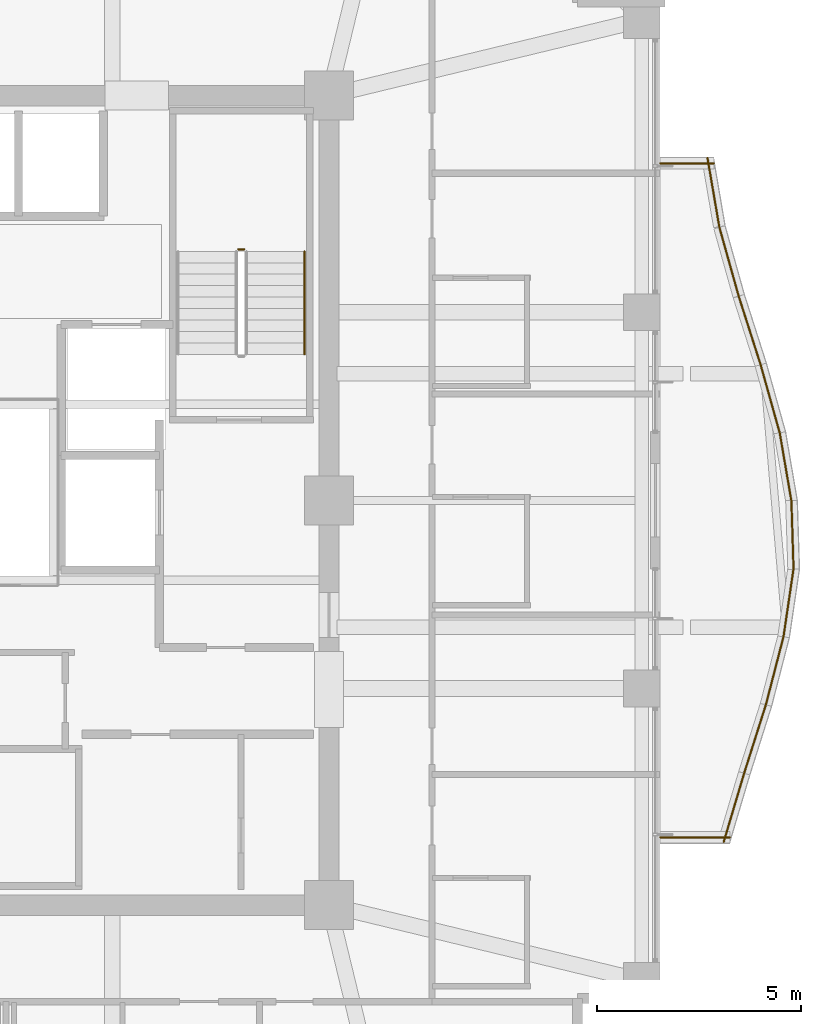
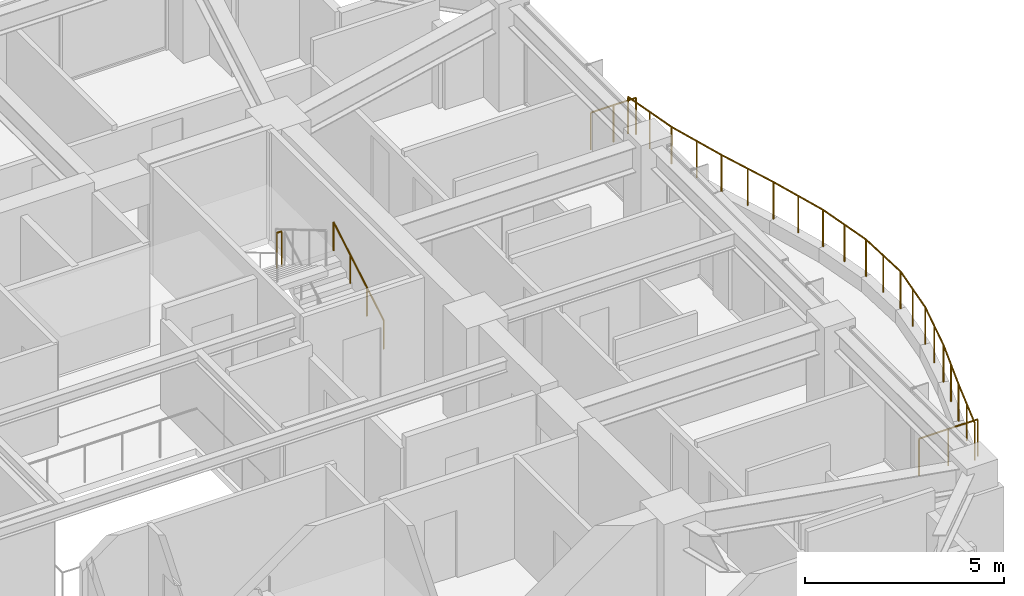
# One storey, part 33 of 33: 14 railings.
"""IFC4 building model written with IfcOpenShell, lengths in metres."""

from ifc_helpers import new_model, si_unit, direction, frame, origin, origin_2d, place, context, subcontext, project, spatial, circle, extrude, material, type_object, element, save


model = new_model("IFC4")

# Units and contexts
model_context = context("Model", 3, precision=1e-05, world=origin(), true_north=direction((0.0, 1.0)))
body_context = subcontext(model_context, "Body", "Model", "MODEL_VIEW")
ifc_project = project(units=[si_unit("LENGTHUNIT", "METRE"), si_unit("AREAUNIT", "SQUARE_METRE"), si_unit("VOLUMEUNIT", "CUBIC_METRE"), si_unit("PLANEANGLEUNIT", "RADIAN"), si_unit("MASSUNIT", "GRAM", prefix="KILO")], contexts=[model_context])

# Site, building, storey
site_placement = place(None, origin())
site = spatial("IfcSite", under=ifc_project, at=site_placement, CompositionType="ELEMENT")
building_placement = place(site_placement, origin())
building = spatial("IfcBuilding", under=site, at=building_placement, Name="Kolvaren Belvedere", CompositionType="ELEMENT")
storey_placement = place(building_placement, frame((0.0, 0.0, 128.300048828125)))
storey = spatial("IfcBuildingStorey", under=building, at=storey_placement, Name="L37", CompositionType="ELEMENT", Elevation=128.300048828125)

# Railings
ifc_material_1 = material(Name="Anodised pale-metal aluminium & laminated glass guard", Category="aluminium")
railing_type_1 = type_object("IfcRailingType", Name="RL-GUARD-1150", PredefinedType="GUARDRAIL", material=ifc_material_1)
railing_1_placement = place(storey_placement, frame((19.5517578125, -8.3544921875, 0.39990234375)))
element("IfcRailing", 1, at=railing_1_placement, inside=storey, type_object=railing_type_1, Name="L37 Exterior Deck Safety Guard BAL-E-1", PredefinedType="GUARDRAIL", context=body_context, shape_type="SweptSolid", body=[
    extrude(circle(Radius=0.02392578125, at=origin_2d()), frame((0.0, 0.0, 1.1259765625), z_axis=(0.284970268083, 0.958536356279, 0.0), x_axis=(-0.958536356279, 0.284970268083, 0.0)), (0.0, 0.0, 1.0), 1.7529296875),
    extrude(circle(Radius=0.02099609375, at=origin_2d()), origin(), (0.0, 0.0, 1.0), 1.101806640625),
    extrude(circle(Radius=0.02099609375, at=origin_2d()), frame((0.249755859375, 0.840087890625, 0.0)), (0.0, 0.0, 1.0), 1.101806640625),
    extrude(circle(Radius=0.02099609375, at=origin_2d()), frame((0.49951171875, 1.68017578125, 0.0)), (0.0, 0.0, 1.0), 1.101806640625),
])
railing_2_placement = place(storey_placement, frame((20.052001953125, -6.671630859375, 0.39990234375)))
element("IfcRailing", 2, at=railing_2_placement, inside=storey, type_object=railing_type_1, Name="L37 Exterior Deck Safety Guard BAL-E-2", PredefinedType="GUARDRAIL", context=body_context, shape_type="SweptSolid", body=[
    extrude(circle(Radius=0.02392578125, at=origin_2d()), frame((0.0, 0.0, 1.1259765625), z_axis=(0.302523204768, 0.953142020151, 0.0), x_axis=(-0.953142020151, 0.302523204768, 0.0)), (0.0, 0.0, 1.0), 1.762451171875),
    extrude(circle(Radius=0.02099609375, at=origin_2d()), origin(), (0.0, 0.0, 1.0), 1.101806640625),
    extrude(circle(Radius=0.02099609375, at=origin_2d()), frame((0.2666015625, 0.83984375, 0.0)), (0.0, 0.0, 1.0), 1.101806640625),
    extrude(circle(Radius=0.02099609375, at=origin_2d()), frame((0.533203125, 1.679931640625, 0.0)), (0.0, 0.0, 1.0), 1.101806640625),
])
railing_3_placement = place(storey_placement, frame((20.582763671875, -5.0, 0.39990234375)))
element("IfcRailing", 3, at=railing_3_placement, inside=storey, type_object=railing_type_1, Name="L37 Exterior Deck Safety Guard BAL-E-3", PredefinedType="GUARDRAIL", context=body_context, shape_type="SweptSolid", body=[
    extrude(circle(Radius=0.02392578125, at=origin_2d()), frame((0.0, 0.0, 1.1259765625), z_axis=(0.250405556038, 0.968141031826, 0.0), x_axis=(-0.968141031826, 0.250405556038, 0.0)), (0.0, 0.0, 1.0), 1.7353515625),
    extrude(circle(Radius=0.02099609375, at=origin_2d()), origin(), (0.0, 0.0, 1.0), 1.101806640625),
    extrude(circle(Radius=0.02099609375, at=origin_2d()), frame((0.21728515625, 0.840087890625, 0.0)), (0.0, 0.0, 1.0), 1.101806640625),
    extrude(circle(Radius=0.02099609375, at=origin_2d()), frame((0.4345703125, 1.68017578125, 0.0)), (0.0, 0.0, 1.0), 1.101806640625),
])
railing_4_placement = place(storey_placement, frame((21.013916015625, -3.336669921875, 0.39990234375)))
element("IfcRailing", 4, at=railing_4_placement, inside=storey, type_object=railing_type_1, Name="L37 Exterior Deck Safety Guard BAL-E-4", PredefinedType="GUARDRAIL", context=body_context, shape_type="SweptSolid", body=[
    extrude(circle(Radius=0.02392578125, at=origin_2d()), frame((0.0, 0.0, 1.1259765625), z_axis=(0.145928579368, 0.989295127716, 0.0), x_axis=(-0.989295127716, 0.145928579368, 0.0)), (0.0, 0.0, 1.0), 1.697998046875),
    extrude(circle(Radius=0.02099609375, at=origin_2d()), origin(), (0.0, 0.0, 1.0), 1.101806640625),
    extrude(circle(Radius=0.02099609375, at=origin_2d()), frame((0.1240234375, 0.83984375, 0.0)), (0.0, 0.0, 1.0), 1.101806640625),
    extrude(circle(Radius=0.02099609375, at=origin_2d()), frame((0.247802734375, 1.679931640625, 0.0)), (0.0, 0.0, 1.0), 1.101806640625),
])
railing_5_placement = place(storey_placement, frame((21.260009765625, -1.68505859375, 0.39990234375)))
element("IfcRailing", 5, at=railing_5_placement, inside=storey, type_object=railing_type_1, Name="L37 Exterior Deck Safety Guard BAL-E-5", PredefinedType="GUARDRAIL", context=body_context, shape_type="SweptSolid", body=[
    extrude(circle(Radius=0.02392578125, at=origin_2d()), frame((0.0, 0.0, 1.1259765625), z_axis=(-0.031370777138, 0.999507816048, 0.0), x_axis=(-0.999507816048, -0.031370777138, 0.0)), (0.0, 0.0, 1.0), 1.680908203125),
    extrude(circle(Radius=0.02099609375, at=origin_2d()), origin(), (0.0, 0.0, 1.0), 1.101806640625),
    extrude(circle(Radius=0.02099609375, at=origin_2d()), frame((-0.0263671875, 0.840087890625, 0.0)), (0.0, 0.0, 1.0), 1.101806640625),
    extrude(circle(Radius=0.02099609375, at=origin_2d()), frame((-0.052734375, 1.68017578125, 0.0)), (0.0, 0.0, 1.0), 1.101806640625),
])
railing_6_placement = place(storey_placement, frame((21.20947265625, -0.027099609375, 0.39990234375)))
element("IfcRailing", 6, at=railing_6_placement, inside=storey, type_object=railing_type_1, Name="L37 Exterior Deck Safety Guard BAL-E-6", PredefinedType="GUARDRAIL", context=body_context, shape_type="SweptSolid", body=[
    extrude(circle(Radius=0.02392578125, at=origin_2d()), frame((0.0, 0.0, 1.1259765625), z_axis=(-0.168856484225, 0.985640648378, 0.0), x_axis=(-0.985640648378, -0.168856484225, 0.0)), (0.0, 0.0, 1.0), 1.70458984375),
    extrude(circle(Radius=0.02099609375, at=origin_2d()), origin(), (0.0, 0.0, 1.0), 1.101806640625),
    extrude(circle(Radius=0.02099609375, at=origin_2d()), frame((-0.14404296875, 0.840087890625, 0.0)), (0.0, 0.0, 1.0), 1.101806640625),
    extrude(circle(Radius=0.02099609375, at=origin_2d()), frame((-0.287841796875, 1.68017578125, 0.0)), (0.0, 0.0, 1.0), 1.101806640625),
])
railing_7_placement = place(storey_placement, frame((20.92529296875, 1.63671875, 0.39990234375)))
element("IfcRailing", 7, at=railing_7_placement, inside=storey, type_object=railing_type_1, Name="L37 Exterior Deck Safety Guard BAL-E-7", PredefinedType="GUARDRAIL", context=body_context, shape_type="SweptSolid", body=[
    extrude(circle(Radius=0.02392578125, at=origin_2d()), frame((0.0, 0.0, 1.1259765625), z_axis=(-0.269764860108, 0.962926227834, 0.0), x_axis=(-0.962926227834, -0.269764860108, 0.0)), (0.0, 0.0, 1.0), 1.744873046875),
    extrude(circle(Radius=0.02099609375, at=origin_2d()), origin(), (0.0, 0.0, 1.0), 1.101806640625),
    extrude(circle(Radius=0.02099609375, at=origin_2d()), frame((-0.2353515625, 0.840087890625, 0.0)), (0.0, 0.0, 1.0), 1.101806640625),
    extrude(circle(Radius=0.02099609375, at=origin_2d()), frame((-0.470703125, 1.68017578125, 0.0)), (0.0, 0.0, 1.0), 1.101806640625),
])
railing_8_placement = place(storey_placement, frame((20.456298828125, 3.311279296875, 0.39990234375)))
element("IfcRailing", 8, at=railing_8_placement, inside=storey, type_object=railing_type_1, Name="L37 Exterior Deck Safety Guard BAL-E-8", PredefinedType="GUARDRAIL", context=body_context, shape_type="SweptSolid", body=[
    extrude(circle(Radius=0.02392578125, at=origin_2d()), frame((0.0, 0.0, 1.1259765625), z_axis=(-0.304660208284, 0.952461105499, 0.0), x_axis=(-0.952461105499, -0.304660208284, 0.0)), (0.0, 0.0, 1.0), 1.763671875),
    extrude(circle(Radius=0.02099609375, at=origin_2d()), origin(), (0.0, 0.0, 1.0), 1.101806640625),
    extrude(circle(Radius=0.02099609375, at=origin_2d()), frame((-0.2685546875, 0.83984375, 0.0)), (0.0, 0.0, 1.0), 1.101806640625),
    extrude(circle(Radius=0.02099609375, at=origin_2d()), frame((-0.537353515625, 1.679931640625, 0.0)), (0.0, 0.0, 1.0), 1.101806640625),
])
railing_9_placement = place(storey_placement, frame((19.917236328125, 4.996826171875, 0.39990234375)))
element("IfcRailing", 9, at=railing_9_placement, inside=storey, type_object=railing_type_1, Name="L37 Exterior Deck Safety Guard BAL-E-9", PredefinedType="GUARDRAIL", context=body_context, shape_type="SweptSolid", body=[
    extrude(circle(Radius=0.02392578125, at=origin_2d()), frame((0.0, 0.0, 1.1259765625), z_axis=(-0.269801210823, 0.962916043401, 0.0), x_axis=(-0.962916043401, -0.269801210823, 0.0)), (0.0, 0.0, 1.0), 1.74462890625),
    extrude(circle(Radius=0.02099609375, at=origin_2d()), origin(), (0.0, 0.0, 1.0), 1.101806640625),
    extrude(circle(Radius=0.02099609375, at=origin_2d()), frame((-0.2353515625, 0.83984375, 0.0)), (0.0, 0.0, 1.0), 1.101806640625),
    extrude(circle(Radius=0.02099609375, at=origin_2d()), frame((-0.470703125, 1.679931640625, 0.0)), (0.0, 0.0, 1.0), 1.101806640625),
])
railing_10_placement = place(storey_placement, frame((19.443115234375, 6.693115234375, 0.39990234375)))
element("IfcRailing", 10, at=railing_10_placement, inside=storey, type_object=railing_type_1, Name="L37 Exterior Deck Safety Guard BAL-E-10", PredefinedType="GUARDRAIL", context=body_context, shape_type="SweptSolid", body=[
    extrude(circle(Radius=0.02392578125, at=origin_2d()), frame((0.0, 0.0, 1.1259765625), z_axis=(-0.16888032392, 0.985636563949, 0.0), x_axis=(-0.985636563949, -0.16888032392, 0.0)), (0.0, 0.0, 1.0), 1.704345703125),
    extrude(circle(Radius=0.02099609375, at=origin_2d()), origin(), (0.0, 0.0, 1.0), 1.101806640625),
    extrude(circle(Radius=0.02099609375, at=origin_2d()), frame((-0.14404296875, 0.83984375, 0.0)), (0.0, 0.0, 1.0), 1.101806640625),
    extrude(circle(Radius=0.02099609375, at=origin_2d()), frame((-0.287841796875, 1.679931640625, 0.0)), (0.0, 0.0, 1.0), 1.101806640625),
])
railing_11_placement = place(storey_placement, frame((19.31298828125, 8.239990234375, 0.39990234375)))
element("IfcRailing", 11, at=railing_11_placement, inside=storey, type_object=railing_type_1, Name="L37 Exterior Deck Safety Guard BAL-E-11", PredefinedType="GUARDRAIL", context=body_context, shape_type="SweptSolid", body=[
    extrude(circle(Radius=0.02392578125, at=origin_2d()), frame((0.0, 0.0, 1.1259765625), z_axis=(-1.0, 0.0, 0.0), x_axis=(0.0, -1.0, 0.0)), (0.0, 0.0, 1.0), 1.31298828125),
    extrude(circle(Radius=0.02099609375, at=origin_2d()), origin(), (0.0, 0.0, 1.0), 1.101806640625),
    extrude(circle(Radius=0.02099609375, at=origin_2d()), frame((-0.656494140625, 0.0, 0.0)), (0.0, 0.0, 1.0), 1.101806640625),
    extrude(circle(Radius=0.02099609375, at=origin_2d()), frame((-1.31298828125, 0.0, 0.0)), (0.0, 0.0, 1.0), 1.101806640625),
])
railing_12_placement = place(storey_placement, frame((18.0, -8.239990234375, 0.39990234375)))
element("IfcRailing", 12, at=railing_12_placement, inside=storey, type_object=railing_type_1, Name="L37 Exterior Deck Safety Guard BAL-E-22", PredefinedType="GUARDRAIL", context=body_context, shape_type="SweptSolid", body=[
    extrude(circle(Radius=0.02392578125, at=origin_2d()), frame((0.0, 0.0, 1.1259765625), z_axis=(1.0, 0.0, 0.0), x_axis=(0.0, 1.0, 0.0)), (0.0, 0.0, 1.0), 1.705078125),
    extrude(circle(Radius=0.02099609375, at=origin_2d()), origin(), (0.0, 0.0, 1.0), 1.101806640625),
    extrude(circle(Radius=0.02099609375, at=origin_2d()), frame((0.8525390625, 0.0, 0.0)), (0.0, 0.0, 1.0), 1.101806640625),
    extrude(circle(Radius=0.02099609375, at=origin_2d()), frame((1.705078125, 0.0, 0.0)), (0.0, 0.0, 1.0), 1.101806640625),
])
ifc_material_2 = material(Name="Brushed stainless-steel handrail", Category="steel")
railing_type_2 = type_object("IfcRailingType", Name="RL-HANDRAIL-920", PredefinedType="HANDRAIL", material=ifc_material_2)
railing_13_placement = place(storey_placement, frame((9.300048828125, 3.570068359375, 0.1650390625)))
element("IfcRailing", 13, at=railing_13_placement, inside=storey, type_object=railing_type_2, Name="L37 ST-2 stair handrail 1", PredefinedType="HANDRAIL", context=body_context, shape_type="SweptSolid", body=[
    extrude(circle(Radius=0.02392578125, at=origin_2d()), frame((0.0, 0.0, 0.8759765625), z_axis=(0.0, 0.861560626758, 0.507654692109), x_axis=(-1.0, 0.0, 0.0)), (0.0, 0.0, 1.0), 2.925048828125),
    extrude(circle(Radius=0.02099609375, at=origin_2d()), origin(), (0.0, 0.0, 1.0), 0.851806640625),
    extrude(circle(Radius=0.02099609375, at=origin_2d()), frame((0.0, 0.840087890625, 0.494873046875)), (0.0, 0.0, 1.0), 0.851806640625),
    extrude(circle(Radius=0.02099609375, at=origin_2d()), frame((0.0, 1.679931640625, 0.989990234375)), (0.0, 0.0, 1.0), 0.851806640625),
    extrude(circle(Radius=0.02099609375, at=origin_2d()), frame((0.0, 2.52001953125, 1.48486328125)), (0.0, 0.0, 1.0), 0.851806640625),
])
ifc_material_3 = material(Name="Painted tubular steel stair guard", Category="steel")
railing_type_3 = type_object("IfcRailingType", Name="RL-STGUARD-1100", PredefinedType="GUARDRAIL", material=ifc_material_3)
railing_14_placement = place(storey_placement, frame((7.830078125, 6.139892578125, 1.64990234375)))
element("IfcRailing", 14, at=railing_14_placement, inside=storey, type_object=railing_type_3, Name="L37 ST-2 stair guard 2", PredefinedType="GUARDRAIL", context=body_context, shape_type="SweptSolid", body=[
    extrude(circle(Radius=0.02392578125, at=origin_2d()), frame((0.0, 0.0, 1.076171875), z_axis=(-1.0, 0.0, 0.0), x_axis=(0.0, -1.0, 0.0)), (0.0, 0.0, 1.0), 0.150146484375),
    extrude(circle(Radius=0.02099609375, at=origin_2d()), origin(), (0.0, 0.0, 1.0), 1.052001953125),
    extrude(circle(Radius=0.02099609375, at=origin_2d()), frame((-0.150146484375, 0.0, 0.0)), (0.0, 0.0, 1.0), 1.052001953125),
])

save(model, "model.ifc")
